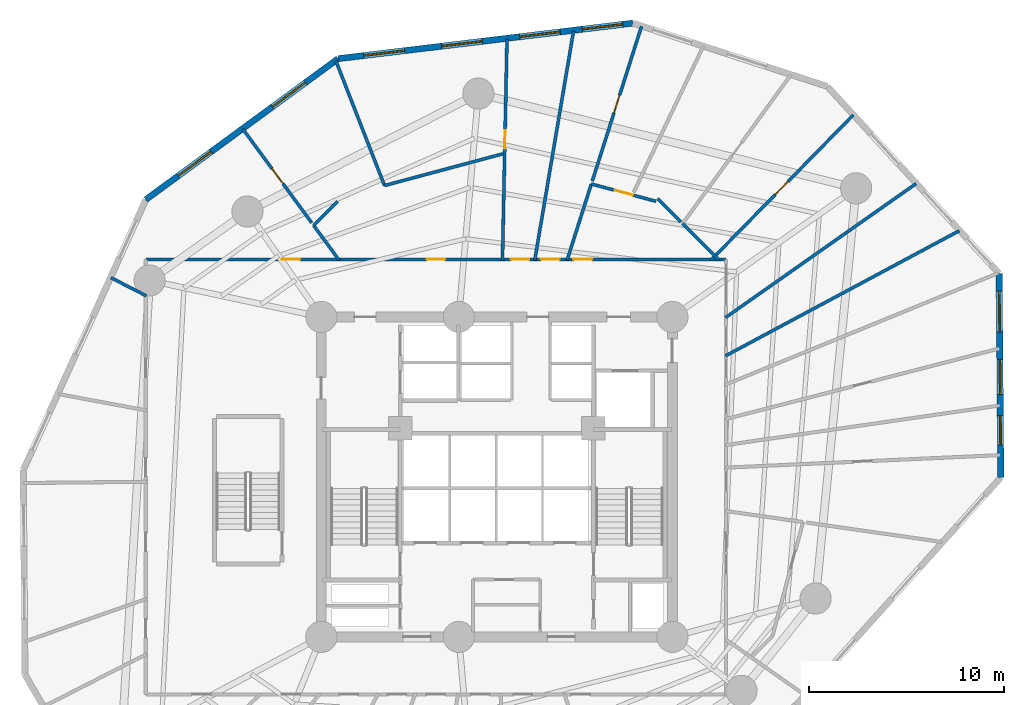
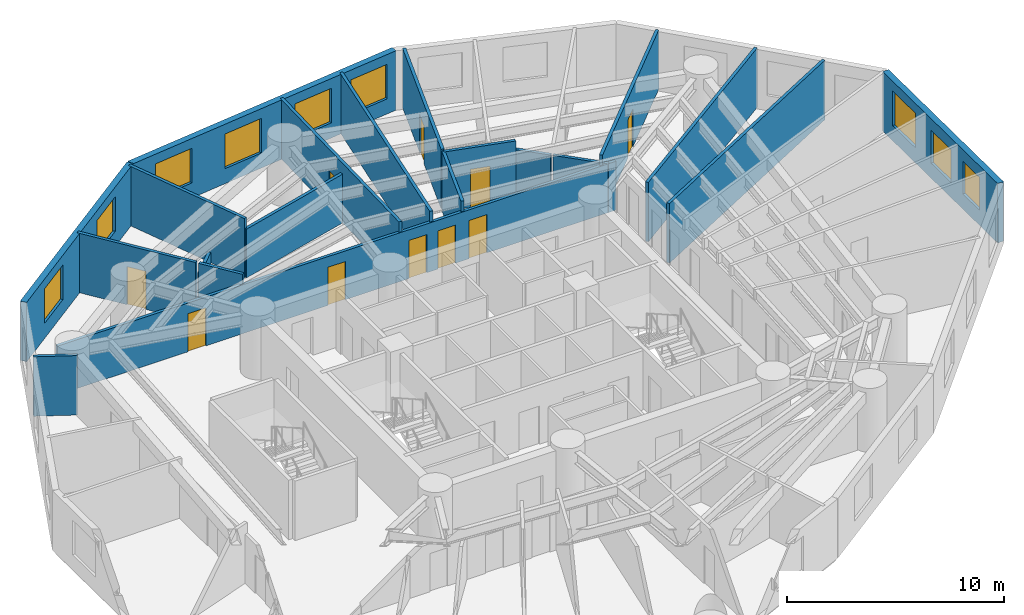
# One storey, part 6 of 9: 20 walls, 10 doors, 9 windows, 19 openings.
"""IFC4 building model written with IfcOpenShell, lengths in metres."""

import ifcopenshell
import ifcopenshell.guid

model = None  # the IFC model being written
_history = None  # IfcOwnerHistory: only IFC2X3 demands one
_inside = {}  # id of a spatial element -> (the spatial element, [elements in it])
_under = {}  # id of a project, library or spatial element -> (it, [spatial elements below it])
_declared = {}  # id of a project -> (the project, [libraries it declares])
_typed = {}  # id of a type object -> (the type object, [elements of that type])
_made_of = {}  # id of a material, layer set ... -> (it, [elements and type objects made of it])


def new_model(schema):
    """Start an empty IFC model of exactly this schema.

    Asked for "IFC4X3", IfcOpenShell would pick the latest addendum, in which some entities
    have other attributes; the version numbers below select the first issue.
    IFC2X3 requires an IfcOwnerHistory on every rooted entity: one is made here for all.
    """
    global model, _history
    if schema == "IFC4X3":
        model = ifcopenshell.file(schema_version=(4, 3, 0, 0))
    else:
        model = ifcopenshell.file(schema=schema)
    _inside.clear()
    _under.clear()
    _declared.clear()
    _typed.clear()
    _made_of.clear()
    _history = None
    if model.schema == "IFC2X3":
        org = make("IfcOrganization", Name="unknown")
        user = make(
            "IfcPersonAndOrganization",
            ThePerson=make("IfcPerson", FamilyName="unknown"),
            TheOrganization=org,
        )
        app = make(
            "IfcApplication",
            ApplicationDeveloper=org,
            Version="unknown",
            ApplicationFullName="unknown",
            ApplicationIdentifier="unknown",
        )
        _history = make(
            "IfcOwnerHistory",
            OwningUser=user,
            OwningApplication=app,
            ChangeAction="ADDED",
            CreationDate=0,
        )
    return model


def make(cls, **values):
    """One entity of the class cls with the attributes given. An attribute that is None is left unset."""
    return model.create_entity(
        cls, **{name: value for name, value in values.items() if value is not None}
    )


def rooted(cls, **values):
    """An entity with a GlobalId (a new one), such as an element, a storey or a relation."""
    return make(cls, GlobalId=ifcopenshell.guid.new(), OwnerHistory=_history, **values)


def si_unit(unit_type, name, prefix=None):
    """IfcSIUnit, for example si_unit("LENGTHUNIT", "METRE", prefix="MILLI")."""
    return make("IfcSIUnit", UnitType=unit_type, Prefix=prefix, Name=name)


def assignment(units):
    """IfcUnitAssignment: the units of a project."""
    return None if units is None else make("IfcUnitAssignment", Units=units)


def point(xyz):
    """IfcCartesianPoint."""
    return None if xyz is None else make("IfcCartesianPoint", Coordinates=xyz)


def direction(xyz):
    """IfcDirection."""
    return None if xyz is None else make("IfcDirection", DirectionRatios=xyz)


def frame(location, z_axis=None, x_axis=None):
    """IfcAxis2Placement3D, a coordinate frame: its origin and axes. An axis left out is left unset."""
    return make(
        "IfcAxis2Placement3D",
        Location=point(location),
        Axis=direction(z_axis),
        RefDirection=direction(x_axis),
    )


def frame_2d(location, x_axis=None):
    """IfcAxis2Placement2D, a coordinate frame in the plane: its origin and x axis."""
    return make(
        "IfcAxis2Placement2D", Location=point(location), RefDirection=direction(x_axis)
    )


def origin():
    """The frame at (0, 0, 0) with its axes left unset."""
    return frame((0.0, 0.0, 0.0))


def origin_with_axes():
    """The frame at (0, 0, 0) with the z axis (0, 0, 1) and the x axis (1, 0, 0) written out."""
    return frame((0.0, 0.0, 0.0), z_axis=(0.0, 0.0, 1.0), x_axis=(1.0, 0.0, 0.0))


def place(relative_to, where):
    """IfcLocalPlacement: puts the frame where relative to a parent placement (None: the world)."""
    return make(
        "IfcLocalPlacement", PlacementRelTo=relative_to, RelativePlacement=where
    )


def context(
    kind, dimensions, precision=None, world=None, true_north=None, identifier=None
):
    """IfcGeometricRepresentationContext, for example the 3D "Model" context."""
    return make(
        "IfcGeometricRepresentationContext",
        ContextIdentifier=identifier,
        ContextType=kind,
        CoordinateSpaceDimension=dimensions,
        Precision=precision,
        WorldCoordinateSystem=world,
        TrueNorth=true_north,
    )


def subcontext(parent, identifier, kind, view, scale=None):
    """IfcGeometricRepresentationSubContext, for example "Body" below "Model"."""
    return make(
        "IfcGeometricRepresentationSubContext",
        ContextIdentifier=identifier,
        ContextType=kind,
        ParentContext=parent,
        TargetScale=scale,
        TargetView=view,
    )


def project(units=None, contexts=None):
    """IfcProject with its units and contexts."""
    return rooted(
        "IfcProject",
        Name="project",
        RepresentationContexts=contexts,
        UnitsInContext=assignment(units),
    )


def spatial(cls, under=None, at=None, **own):
    """A site, building, storey or space (cls), placed at a placement, below another one or the project."""
    s = rooted(cls, ObjectPlacement=at, **own)
    if under is not None:
        _under.setdefault(under.id(), (under, []))[1].append(s)
    return s


def profile(cls, at=None, kind="AREA", **sizes):
    """A parametric profile (cls). Its sizes go by their IFC names, for example OverallWidth=200.0."""
    return make(cls, ProfileType=kind, Position=at, **sizes)


def rectangle(**sizes):
    """IfcRectangleProfileDef."""
    return profile("IfcRectangleProfileDef", **sizes)


def extrude(swept, where, along, depth):
    """IfcExtrudedAreaSolid: the profile swept, set in the frame where, extruded along a direction by depth."""
    return make(
        "IfcExtrudedAreaSolid",
        SweptArea=swept,
        Position=where,
        ExtrudedDirection=direction(along),
        Depth=depth,
    )


def shape(context_of_items, identifier, shape_type, items):
    """IfcShapeRepresentation: the items that make up one representation, for example the "Body"."""
    return make(
        "IfcShapeRepresentation",
        ContextOfItems=context_of_items,
        RepresentationIdentifier=identifier,
        RepresentationType=shape_type,
        Items=items,
    )


def source(mapping_origin, context_of_items, identifier, shape_type, items):
    """IfcRepresentationMap: a shape defined once, which mapped items show again and again."""
    return make(
        "IfcRepresentationMap",
        MappingOrigin=mapping_origin,
        MappedRepresentation=shape(context_of_items, identifier, shape_type, items),
    )


def transform(
    local_origin,
    x_axis=None,
    y_axis=None,
    z_axis=None,
    scale=None,
    scale2=None,
    scale3=None,
    uniform=True,
):
    """IfcCartesianTransformationOperator3D, or its non-uniform kind. x_axis, y_axis, z_axis: its Axis1, 2, 3."""
    if uniform:
        return make(
            "IfcCartesianTransformationOperator3D",
            Axis1=direction(x_axis),
            Axis2=direction(y_axis),
            LocalOrigin=point(local_origin),
            Scale=scale,
            Axis3=direction(z_axis),
        )
    return make(
        "IfcCartesianTransformationOperator3DnonUniform",
        Axis1=direction(x_axis),
        Axis2=direction(y_axis),
        LocalOrigin=point(local_origin),
        Scale=scale,
        Axis3=direction(z_axis),
        Scale2=scale2,
        Scale3=scale3,
    )


def mapped(mapping_source, mapping_target):
    """IfcMappedItem: shows the shape of a source again, moved by a transform."""
    return make(
        "IfcMappedItem", MappingSource=mapping_source, MappingTarget=mapping_target
    )


def material(Name=None, Category=None):
    """IfcMaterial."""
    return make("IfcMaterial", Name=Name, Category=Category)


def layer(
    of_material, thickness, ventilated=None, Name=None, Category=None, Priority=None
):
    """IfcMaterialLayer: one layer of a wall or slab, of a material (None: an air gap)."""
    return make(
        "IfcMaterialLayer",
        Material=of_material,
        LayerThickness=thickness,
        IsVentilated=ventilated,
        Name=Name,
        Category=Category,
        Priority=Priority,
    )


def layer_set(layers, Name=None):
    """IfcMaterialLayerSet."""
    return make("IfcMaterialLayerSet", MaterialLayers=layers, LayerSetName=Name)


def made_of(thing, what):
    """Note that an element or type object is made of a material, layer set ...; save() writes the relation."""
    if what is not None:
        _made_of.setdefault(what.id(), (what, []))[1].append(thing)
    return thing


def type_object(cls, material=None, **own):
    """A type object (cls), such as IfcWallType, which elements share."""
    return made_of(rooted(cls, **own), material)


def element(
    cls,
    number,
    at=None,
    inside=None,
    cuts=None,
    type_object=None,
    material=None,
    context=None,
    identifier="Body",
    shape_type=None,
    held_by="IfcProductDefinitionShape",
    body=None,
    shapes=None,
    **own,
):
    """One element of the class cls, such as IfcWall. Its Tag is "e" and its number.

    at: its placement. inside: the storey or other place that contains it. cuts: it is an
    opening in that element (IfcRelVoidsElement). A single representation is given by context,
    identifier, shape_type and body (its items); several are given by shapes. held_by: the class
    of the entity that holds the representations. save() writes the other relations.
    """
    e = rooted(cls, Tag="e%d" % number, ObjectPlacement=at, **own)
    if body is not None:
        shapes = [shape(context, identifier, shape_type, body)]
    if shapes is not None:
        e.Representation = make(held_by, Representations=shapes)
    if inside is not None:
        _inside.setdefault(inside.id(), (inside, []))[1].append(e)
    if cuts is not None:
        rooted(
            "IfcRelVoidsElement", RelatingBuildingElement=cuts, RelatedOpeningElement=e
        )
    if type_object is not None:
        _typed.setdefault(type_object.id(), (type_object, []))[1].append(e)
    return made_of(e, material)


def fill(opening, filler):
    """IfcRelFillsElement: the door or window that sits in an opening."""
    return rooted(
        "IfcRelFillsElement",
        RelatingOpeningElement=opening,
        RelatedBuildingElement=filler,
    )


def aggregate(whole, parts):
    """IfcRelAggregates: a whole, such as a stair, and the parts it consists of."""
    return rooted("IfcRelAggregates", RelatingObject=whole, RelatedObjects=parts)


def save(model, path):
    """Write the relations noted so far, then the file.

    IfcRelAggregates (storeys below a building ...), IfcRelContainedInSpatialStructure (elements
    in a storey), IfcRelDefinesByType, IfcRelAssociatesMaterial and IfcRelDeclares: one each for
    every whole, place, type object, material and project.
    """
    for whole, parts in _under.values():
        aggregate(whole, parts)
    for where, things in _inside.values():
        rooted(
            "IfcRelContainedInSpatialStructure",
            RelatedElements=things,
            RelatingStructure=where,
        )
    for kind, things in _typed.values():
        rooted("IfcRelDefinesByType", RelatedObjects=things, RelatingType=kind)
    for what, things in _made_of.values():
        rooted("IfcRelAssociatesMaterial", RelatedObjects=things, RelatingMaterial=what)
    for by, libraries in _declared.values():
        rooted("IfcRelDeclares", RelatingContext=by, RelatedDefinitions=libraries)
    model.write(path)


model = new_model("IFC4")

# Units and contexts
model_context = context("Model", 3, precision=1e-05, world=origin(), true_north=direction((0.0, 1.0)))
body_context = subcontext(model_context, "Body", "Model", "MODEL_VIEW")
ifc_project = project(units=[si_unit("LENGTHUNIT", "METRE"), si_unit("AREAUNIT", "SQUARE_METRE"), si_unit("VOLUMEUNIT", "CUBIC_METRE"), si_unit("PLANEANGLEUNIT", "RADIAN"), si_unit("MASSUNIT", "GRAM", prefix="KILO")], contexts=[model_context])

# Site, building, storey
site_placement = place(None, origin())
site = spatial("IfcSite", under=ifc_project, at=site_placement, CompositionType="ELEMENT")
building_placement = place(site_placement, origin())
building = spatial("IfcBuilding", under=site, at=building_placement, Name="Karkom Vertical University and Central Library", CompositionType="ELEMENT")
storey_placement = place(building_placement, frame((0.0, 0.0, 48.10009765625)))
storey = spatial("IfcBuildingStorey", under=building, at=storey_placement, Name="L12", CompositionType="ELEMENT", Elevation=48.10009765625)

# Wall, openings, windows
ifc_material_1 = material(Name="Brick-faced precast concrete C45/55", Category="masonry")
ifc_layer_1 = layer(ifc_material_1, 0.320068359375)
ifc_layer_set_1 = layer_set([ifc_layer_1], Name="Brick-faced precast concrete C45/55")
wall_type_1 = type_object("IfcWallType", Name="ENV-WL-BRK-320", PredefinedType="SOLIDWALL", material=ifc_layer_set_1)
wall_1_placement = place(storey_placement, frame((54.340087890625, 26.47119140625, 0.0), z_axis=(0.0, 0.0, 1.0), x_axis=(-0.008424635088, 0.999964512132, 0.0)))
wall_1 = element("IfcWall", 1, at=wall_1_placement, inside=storey, type_object=wall_type_1, Name="Level 12 Brick-Faced Precast Facade Wall 08", PredefinedType="SOLIDWALL", context=body_context, shape_type="SweptSolid", body=[
    extrude(rectangle(XDim=10.461669921875, YDim=0.320068359375, at=frame_2d((5.23095703125, 0.0))), origin(), (0.0, 0.0, 1.0), 3.349853515625),
])
opening_1_placement = place(wall_1_placement, frame((1.6669921875, 0.0, 0.85009765625)))
opening_1 = element("IfcOpeningElement", 2, at=opening_1_placement, cuts=wall_1, Name="Opening WN-05", PredefinedType="OPENING", context=body_context, shape_type="SweptSolid", body=[
    extrude(rectangle(XDim=1.5, YDim=1.85009765625, at=frame_2d((0.75, 0.925048828125))), frame((0.0, 0.169921875, 0.0), z_axis=(0.0, -1.0, 0.0), x_axis=(1.0, 0.0, 0.0)), (0.0, 0.0, 1.0), 0.340087890625),
])
opening_2_placement = place(wall_1_placement, frame((4.2451171875, 0.0, 0.85009765625)))
opening_2 = element("IfcOpeningElement", 3, at=opening_2_placement, cuts=wall_1, Name="Opening WN-04", PredefinedType="OPENING", context=body_context, shape_type="SweptSolid", body=[
    extrude(rectangle(XDim=1.800048828125, YDim=1.85009765625, at=frame_2d((0.89990234375, 0.925048828125))), frame((0.0, 0.169921875, 0.0), z_axis=(0.0, -1.0, 0.0), x_axis=(1.0, 0.0, 0.0)), (0.0, 0.0, 1.0), 0.340087890625),
])
opening_3_placement = place(wall_1_placement, frame((7.452392578125, 0.0, 0.85009765625)))
opening_3 = element("IfcOpeningElement", 4, at=opening_3_placement, cuts=wall_1, Name="Opening WN-03", PredefinedType="OPENING", context=body_context, shape_type="SweptSolid", body=[
    extrude(rectangle(XDim=2.10009765625, YDim=1.949951171875, at=frame_2d((1.050048828125, 0.97509765625))), frame((0.0, 0.169921875, 0.0), z_axis=(0.0, -1.0, 0.0), x_axis=(1.0, 0.0, 0.0)), (0.0, 0.0, 1.0), 0.340087890625),
])
ifc_material_2 = material(Name="Aluminium thermal-break frame with solar-control IGU", Category="aluminium")
window_type_1 = type_object("IfcWindowType", Name="ENV-WIN-WN-03", PartitioningType="SINGLE_PANEL", PredefinedType="WINDOW", material=ifc_material_2)
shared_shape_1 = source(origin_with_axes(), body_context, "Body", "SweptSolid", [
    extrude(rectangle(XDim=2.10009765625, YDim=1.949951171875, at=frame_2d((1.050048828125, 0.97509765625))), frame((0.0, 0.030029296875, 0.0), z_axis=(0.0, -1.0, 0.0), x_axis=(1.0, 0.0, 0.0)), (0.0, 0.0, 1.0), 0.06005859375),
])
window_1_placement = place(opening_3_placement, origin())
window_1 = element("IfcWindow", 5, at=window_1_placement, inside=storey, type_object=window_type_1, Name="Level 12 Punched Window 8.3", OverallHeight=1.949951171875, OverallWidth=2.10009765625, PartitioningType="SINGLE_PANEL", PredefinedType="WINDOW", context=body_context, shape_type="MappedRepresentation", body=[
    mapped(shared_shape_1, transform((0.0, 0.0, 0.0), scale=1.0)),
])
fill(opening_3, window_1)
window_type_2 = type_object("IfcWindowType", Name="ENV-WIN-WN-05", PartitioningType="SINGLE_PANEL", PredefinedType="WINDOW", material=ifc_material_2)
shared_shape_2 = source(origin_with_axes(), body_context, "Body", "SweptSolid", [
    extrude(rectangle(XDim=1.5, YDim=1.85009765625, at=frame_2d((0.75, 0.925048828125))), frame((0.0, 0.030029296875, 0.0), z_axis=(0.0, -1.0, 0.0), x_axis=(1.0, 0.0, 0.0)), (0.0, 0.0, 1.0), 0.06005859375),
])
window_2_placement = place(opening_1_placement, origin())
window_2 = element("IfcWindow", 6, at=window_2_placement, inside=storey, type_object=window_type_2, Name="Level 12 Punched Window 8.1", OverallHeight=1.85009765625, OverallWidth=1.5, PartitioningType="SINGLE_PANEL", PredefinedType="WINDOW", context=body_context, shape_type="MappedRepresentation", body=[
    mapped(shared_shape_2, transform((0.0, 0.0, 0.0), scale=1.0)),
])
fill(opening_1, window_2)
window_type_3 = type_object("IfcWindowType", Name="ENV-WIN-WN-04", PartitioningType="SINGLE_PANEL", PredefinedType="WINDOW", material=ifc_material_2)
shared_shape_3 = source(origin_with_axes(), body_context, "Body", "SweptSolid", [
    extrude(rectangle(XDim=1.800048828125, YDim=1.85009765625, at=frame_2d((0.89990234375, 0.925048828125))), frame((0.0, 0.030029296875, 0.0), z_axis=(0.0, -1.0, 0.0), x_axis=(1.0, 0.0, 0.0)), (0.0, 0.0, 1.0), 0.06005859375),
])
window_3_placement = place(opening_2_placement, origin())
window_3 = element("IfcWindow", 7, at=window_3_placement, inside=storey, type_object=window_type_3, Name="Level 12 Punched Window 8.2", OverallHeight=1.85009765625, OverallWidth=1.800048828125, PartitioningType="SINGLE_PANEL", PredefinedType="WINDOW", context=body_context, shape_type="MappedRepresentation", body=[
    mapped(shared_shape_3, transform((0.0, 0.0, 0.0), scale=1.0)),
])
fill(opening_2, window_3)

wall_2_placement = place(storey_placement, frame((35.47509765625, 49.767822265625, 0.0), z_axis=(0.0, 0.0, 1.0), x_axis=(-0.992812344763, -0.1196814442, 0.0)))
wall_2 = element("IfcWall", 8, at=wall_2_placement, inside=storey, type_object=wall_type_1, Name="Level 12 Brick-Faced Precast Facade Wall 11", PredefinedType="SOLIDWALL", context=body_context, shape_type="SweptSolid", body=[
    extrude(rectangle(XDim=15.223876953125, YDim=0.320068359375, at=frame_2d((7.61181640625, 0.0))), origin(), (0.0, 0.0, 1.0), 3.349853515625),
])
opening_4_placement = place(wall_2_placement, frame((0.5185546875, 0.0, 0.85009765625)))
opening_4 = element("IfcOpeningElement", 9, at=opening_4_placement, cuts=wall_2, Name="Opening WN-03", PredefinedType="OPENING", context=body_context, shape_type="SweptSolid", body=[
    extrude(rectangle(XDim=2.10009765625, YDim=1.949951171875, at=frame_2d((1.050048828125, 0.97509765625))), frame((0.0, 0.169921875, 0.0), z_axis=(0.0, -1.0, 0.0), x_axis=(1.0, 0.0, 0.0)), (0.0, 0.0, 1.0), 0.340087890625),
])
opening_5_placement = place(wall_2_placement, frame((3.743896484375, 0.0, 0.85009765625)))
opening_5 = element("IfcOpeningElement", 10, at=opening_5_placement, cuts=wall_2, Name="Opening WN-03", PredefinedType="OPENING", context=body_context, shape_type="SweptSolid", body=[
    extrude(rectangle(XDim=2.10009765625, YDim=1.949951171875, at=frame_2d((1.050048828125, 0.97509765625))), frame((0.0, 0.169921875, 0.0), z_axis=(0.0, -1.0, 0.0), x_axis=(1.0, 0.0, 0.0)), (0.0, 0.0, 1.0), 0.340087890625),
])
opening_6_placement = place(wall_2_placement, frame((7.783935546875, 0.0, 0.85009765625)))
opening_6 = element("IfcOpeningElement", 11, at=opening_6_placement, cuts=wall_2, Name="Opening WN-03", PredefinedType="OPENING", context=body_context, shape_type="SweptSolid", body=[
    extrude(rectangle(XDim=2.10009765625, YDim=1.949951171875, at=frame_2d((1.050048828125, 0.97509765625))), frame((0.0, 0.169921875, 0.0), z_axis=(0.0, -1.0, 0.0), x_axis=(1.0, 0.0, 0.0)), (0.0, 0.0, 1.0), 0.340087890625),
])
opening_7_placement = place(wall_2_placement, frame((11.79052734375, 0.0, 0.85009765625)))
opening_7 = element("IfcOpeningElement", 12, at=opening_7_placement, cuts=wall_2, Name="Opening WN-03", PredefinedType="OPENING", context=body_context, shape_type="SweptSolid", body=[
    extrude(rectangle(XDim=2.10009765625, YDim=1.949951171875, at=frame_2d((1.050048828125, 0.97509765625))), frame((0.0, 0.169921875, 0.0), z_axis=(0.0, -1.0, 0.0), x_axis=(1.0, 0.0, 0.0)), (0.0, 0.0, 1.0), 0.340087890625),
])
window_4_placement = place(opening_4_placement, origin())
window_4 = element("IfcWindow", 13, at=window_4_placement, inside=storey, type_object=window_type_1, Name="Level 12 Punched Window 11.1", OverallHeight=1.949951171875, OverallWidth=2.10009765625, PartitioningType="SINGLE_PANEL", PredefinedType="WINDOW", context=body_context, shape_type="MappedRepresentation", body=[
    mapped(shared_shape_1, transform((0.0, 0.0, 0.0), scale=1.0)),
])
fill(opening_4, window_4)
window_5_placement = place(opening_5_placement, origin())
window_5 = element("IfcWindow", 14, at=window_5_placement, inside=storey, type_object=window_type_1, Name="Level 12 Punched Window 11.2", OverallHeight=1.949951171875, OverallWidth=2.10009765625, PartitioningType="SINGLE_PANEL", PredefinedType="WINDOW", context=body_context, shape_type="MappedRepresentation", body=[
    mapped(shared_shape_1, transform((0.0, 0.0, 0.0), scale=1.0)),
])
fill(opening_5, window_5)
window_6_placement = place(opening_6_placement, origin())
window_6 = element("IfcWindow", 15, at=window_6_placement, inside=storey, type_object=window_type_1, Name="Level 12 Punched Window 11.3", OverallHeight=1.949951171875, OverallWidth=2.10009765625, PartitioningType="SINGLE_PANEL", PredefinedType="WINDOW", context=body_context, shape_type="MappedRepresentation", body=[
    mapped(shared_shape_1, transform((0.0, 0.0, 0.0), scale=1.0)),
])
fill(opening_6, window_6)
window_7_placement = place(opening_7_placement, origin())
window_7 = element("IfcWindow", 16, at=window_7_placement, inside=storey, type_object=window_type_1, Name="Level 12 Punched Window 11.4", OverallHeight=1.949951171875, OverallWidth=2.10009765625, PartitioningType="SINGLE_PANEL", PredefinedType="WINDOW", context=body_context, shape_type="MappedRepresentation", body=[
    mapped(shared_shape_1, transform((0.0, 0.0, 0.0), scale=1.0)),
])
fill(opening_7, window_7)

wall_3_placement = place(storey_placement, frame((20.360595703125, 47.94580078125, 0.0), z_axis=(0.0, 0.0, 1.0), x_axis=(-0.806545902905, -0.591171469633, 0.0)))
wall_3 = element("IfcWall", 17, at=wall_3_placement, inside=storey, type_object=wall_type_1, Name="Level 12 Brick-Faced Precast Facade Wall 12", PredefinedType="SOLIDWALL", context=body_context, shape_type="SweptSolid", body=[
    extrude(rectangle(XDim=12.2265625, YDim=0.320068359375, at=frame_2d((6.11328125, 0.0))), origin(), (0.0, 0.0, 1.0), 3.349853515625),
])
opening_8_placement = place(wall_3_placement, frame((2.07080078125, 0.0, 0.85009765625)))
opening_8 = element("IfcOpeningElement", 18, at=opening_8_placement, cuts=wall_3, Name="Opening WN-03", PredefinedType="OPENING", context=body_context, shape_type="SweptSolid", body=[
    extrude(rectangle(XDim=2.10009765625, YDim=1.949951171875, at=frame_2d((1.050048828125, 0.97509765625))), frame((0.0, 0.169921875, 0.0), z_axis=(0.0, -1.0, 0.0), x_axis=(1.0, 0.0, 0.0)), (0.0, 0.0, 1.0), 0.340087890625),
])
opening_9_placement = place(wall_3_placement, frame((8.069580078125, 0.0, 0.85009765625)))
opening_9 = element("IfcOpeningElement", 19, at=opening_9_placement, cuts=wall_3, Name="Opening WN-03", PredefinedType="OPENING", context=body_context, shape_type="SweptSolid", body=[
    extrude(rectangle(XDim=2.10009765625, YDim=1.949951171875, at=frame_2d((1.050048828125, 0.97509765625))), frame((0.0, 0.169921875, 0.0), z_axis=(0.0, -1.0, 0.0), x_axis=(1.0, 0.0, 0.0)), (0.0, 0.0, 1.0), 0.340087890625),
])
window_8_placement = place(opening_8_placement, origin())
window_8 = element("IfcWindow", 20, at=window_8_placement, inside=storey, type_object=window_type_1, Name="Level 12 Punched Window 12.1", OverallHeight=1.949951171875, OverallWidth=2.10009765625, PartitioningType="SINGLE_PANEL", PredefinedType="WINDOW", context=body_context, shape_type="MappedRepresentation", body=[
    mapped(shared_shape_1, transform((0.0, 0.0, 0.0), scale=1.0)),
])
fill(opening_8, window_8)
window_9_placement = place(opening_9_placement, origin())
window_9 = element("IfcWindow", 21, at=window_9_placement, inside=storey, type_object=window_type_1, Name="Level 12 Punched Window 12.2", OverallHeight=1.949951171875, OverallWidth=2.10009765625, PartitioningType="SINGLE_PANEL", PredefinedType="WINDOW", context=body_context, shape_type="MappedRepresentation", body=[
    mapped(shared_shape_1, transform((0.0, 0.0, 0.0), scale=1.0)),
])
fill(opening_9, window_9)

# Wall, openings, doors
ifc_material_3 = material(Name="Insulated metal-stud drywall 160mm", Category="gypsum")
ifc_layer_2 = layer(ifc_material_3, 0.159912109375)
ifc_layer_set_2 = layer_set([ifc_layer_2], Name="Insulated metal-stud drywall 160mm")
wall_type_2 = type_object("IfcWallType", Name="INT-WL-COR-160", PredefinedType="PARTITIONING", material=ifc_layer_set_2)
wall_4_placement = place(storey_placement, frame((10.5, 37.64990234375, 0.0), z_axis=(0.0, 0.0, 1.0), x_axis=(1.0, 0.0, 0.0)))
wall_4 = element("IfcWall", 22, at=wall_4_placement, inside=storey, type_object=wall_type_2, Name="Level 12 Interior Partition Wall L12-CORW-CW-003", PredefinedType="PARTITIONING", context=body_context, shape_type="SweptSolid", body=[
    extrude(rectangle(XDim=29.75, YDim=0.159912109375, at=frame_2d((14.875, 0.0))), origin(), (0.0, 0.0, 1.0), 2.75),
])
opening_10_placement = place(wall_4_placement, frame((21.927490234375, 0.0, 0.0)))
opening_10 = element("IfcOpeningElement", 23, at=opening_10_placement, cuts=wall_4, Name="Opening D-RM1", PredefinedType="OPENING", context=body_context, shape_type="SweptSolid", body=[
    extrude(rectangle(XDim=0.949951171875, YDim=2.14990234375, at=frame_2d((0.47509765625, 1.074951171875))), frame((0.0, 0.08984375, 0.0), z_axis=(0.0, -1.0, 0.0), x_axis=(1.0, 0.0, 0.0)), (0.0, 0.0, 1.0), 0.179931640625),
])
opening_11_placement = place(wall_4_placement, frame((20.26220703125, 0.0, 0.0)))
opening_11 = element("IfcOpeningElement", 24, at=opening_11_placement, cuts=wall_4, Name="Opening D-RM1", PredefinedType="OPENING", context=body_context, shape_type="SweptSolid", body=[
    extrude(rectangle(XDim=0.949951171875, YDim=2.14990234375, at=frame_2d((0.47509765625, 1.074951171875))), frame((0.0, 0.08984375, 0.0), z_axis=(0.0, -1.0, 0.0), x_axis=(1.0, 0.0, 0.0)), (0.0, 0.0, 1.0), 0.179931640625),
])
opening_12_placement = place(wall_4_placement, frame((18.722412109375, 0.0, 0.0)))
opening_12 = element("IfcOpeningElement", 25, at=opening_12_placement, cuts=wall_4, Name="Opening D-RM1", PredefinedType="OPENING", context=body_context, shape_type="SweptSolid", body=[
    extrude(rectangle(XDim=0.949951171875, YDim=2.14990234375, at=frame_2d((0.47509765625, 1.074951171875))), frame((0.0, 0.08984375, 0.0), z_axis=(0.0, -1.0, 0.0), x_axis=(1.0, 0.0, 0.0)), (0.0, 0.0, 1.0), 0.179931640625),
])
opening_13_placement = place(wall_4_placement, frame((14.39990234375, 0.0, 0.0)))
opening_13 = element("IfcOpeningElement", 26, at=opening_13_placement, cuts=wall_4, Name="Opening D-RM1", PredefinedType="OPENING", context=body_context, shape_type="SweptSolid", body=[
    extrude(rectangle(XDim=0.949951171875, YDim=2.14990234375, at=frame_2d((0.47509765625, 1.074951171875))), frame((0.0, 0.08984375, 0.0), z_axis=(0.0, -1.0, 0.0), x_axis=(1.0, 0.0, 0.0)), (0.0, 0.0, 1.0), 0.179931640625),
])
opening_14_placement = place(wall_4_placement, frame((6.96240234375, 0.0, 0.0)))
opening_14 = element("IfcOpeningElement", 27, at=opening_14_placement, cuts=wall_4, Name="Opening D-RM1", PredefinedType="OPENING", context=body_context, shape_type="SweptSolid", body=[
    extrude(rectangle(XDim=0.949951171875, YDim=2.14990234375, at=frame_2d((0.47509765625, 1.074951171875))), frame((0.0, 0.08984375, 0.0), z_axis=(0.0, -1.0, 0.0), x_axis=(1.0, 0.0, 0.0)), (0.0, 0.0, 1.0), 0.179931640625),
])
ifc_material_4 = material(Name="Solid-core oak veneer door", Category="wood")
door_type = type_object("IfcDoorType", Name="INT-DR-RM1", OperationType="NOTDEFINED", PredefinedType="DOOR", material=ifc_material_4)
shared_shape_4 = source(origin_with_axes(), body_context, "Body", "SweptSolid", [
    extrude(rectangle(XDim=0.949951171875, YDim=2.14990234375, at=frame_2d((0.47509765625, 1.074951171875))), frame((0.0, 0.02490234375, 0.0), z_axis=(0.0, -1.0, 0.0), x_axis=(1.0, 0.0, 0.0)), (0.0, 0.0, 1.0), 0.050048828125),
])
door_1_placement = place(opening_10_placement, origin())
door_1 = element("IfcDoor", 28, at=door_1_placement, inside=storey, type_object=door_type, Name="Level 12 Room Entry Door 220", OperationType="SINGLE_SWING_LEFT", OverallHeight=2.14990234375, OverallWidth=0.949951171875, PredefinedType="DOOR", context=body_context, shape_type="MappedRepresentation", body=[
    mapped(shared_shape_4, transform((0.0, 0.0, 0.0), scale=1.0)),
])
fill(opening_10, door_1)
door_2_placement = place(opening_11_placement, origin())
door_2 = element("IfcDoor", 29, at=door_2_placement, inside=storey, type_object=door_type, Name="Level 12 Room Entry Door 240", OperationType="SINGLE_SWING_RIGHT", OverallHeight=2.14990234375, OverallWidth=0.949951171875, PredefinedType="DOOR", context=body_context, shape_type="MappedRepresentation", body=[
    mapped(shared_shape_4, transform((0.0, 0.0, 0.0), scale=1.0)),
])
fill(opening_11, door_2)
door_3_placement = place(opening_12_placement, origin())
door_3 = element("IfcDoor", 30, at=door_3_placement, inside=storey, type_object=door_type, Name="Level 12 Room Entry Door 250", OperationType="SINGLE_SWING_LEFT", OverallHeight=2.14990234375, OverallWidth=0.949951171875, PredefinedType="DOOR", context=body_context, shape_type="MappedRepresentation", body=[
    mapped(shared_shape_4, transform((0.0, 0.0, 0.0), scale=1.0)),
])
fill(opening_12, door_3)
door_4_placement = place(opening_13_placement, origin())
door_4 = element("IfcDoor", 31, at=door_4_placement, inside=storey, type_object=door_type, Name="Level 12 Room Entry Door 270", OperationType="SINGLE_SWING_RIGHT", OverallHeight=2.14990234375, OverallWidth=0.949951171875, PredefinedType="DOOR", context=body_context, shape_type="MappedRepresentation", body=[
    mapped(shared_shape_4, transform((0.0, 0.0, 0.0), scale=1.0)),
])
fill(opening_13, door_4)
door_5_placement = place(opening_14_placement, origin())
door_5 = element("IfcDoor", 32, at=door_5_placement, inside=storey, type_object=door_type, Name="Level 12 Room Entry Door 290", OperationType="SINGLE_SWING_LEFT", OverallHeight=2.14990234375, OverallWidth=0.949951171875, PredefinedType="DOOR", context=body_context, shape_type="MappedRepresentation", body=[
    mapped(shared_shape_4, transform((0.0, 0.0, 0.0), scale=1.0)),
])
fill(opening_14, door_5)

# Walls
wall_5_placement = place(storey_placement, frame((40.2236328125, 32.70751953125, 0.0), z_axis=(0.0, 0.0, 1.0), x_axis=(0.881639877006, 0.471922798001, 0.0)))
element("IfcWall", 33, at=wall_5_placement, inside=storey, type_object=wall_type_2, Name="Level 12 Interior Partition Wall L12-PW-022", PredefinedType="PARTITIONING", context=body_context, shape_type="SweptSolid", body=[
    extrude(rectangle(XDim=13.59130859375, YDim=0.159912109375, at=frame_2d((6.795654296875, 0.0))), origin(), (0.0, 0.0, 1.0), 3.349853515625),
])
wall_6_placement = place(storey_placement, frame((40.2255859375, 34.6708984375, 0.0), z_axis=(0.0, 0.0, 1.0), x_axis=(0.818038780685, 0.5751630667, 0.0)))
element("IfcWall", 34, at=wall_6_placement, inside=storey, type_object=wall_type_2, Name="Level 12 Interior Partition Wall L12-PW-023", PredefinedType="PARTITIONING", context=body_context, shape_type="SweptSolid", body=[
    extrude(rectangle(XDim=11.937744140625, YDim=0.159912109375, at=frame_2d((5.96875, 0.0))), origin(), (0.0, 0.0, 1.0), 3.349853515625),
])
wall_7_placement = place(storey_placement, frame((30.443603515625, 37.620361328125, 0.0), z_axis=(0.0, 0.0, 1.0), x_axis=(0.166922631411, 0.98596999707, 0.0)))
element("IfcWall", 35, at=wall_7_placement, inside=storey, type_object=wall_type_2, Name="Level 12 Interior Partition Wall L12-PW-033", PredefinedType="PARTITIONING", context=body_context, shape_type="SweptSolid", body=[
    extrude(rectangle(XDim=11.920166015625, YDim=0.159912109375, at=frame_2d((5.9599609375, 0.0))), origin(), (0.0, 0.0, 1.0), 3.349853515625),
])

# Wall, opening, door
wall_8_placement = place(storey_placement, frame((28.787109375, 37.60498046875, 0.0), z_axis=(0.0, 0.0, 1.0), x_axis=(0.020435915355, 0.999791164876, 0.0)))
wall_8 = element("IfcWall", 36, at=wall_8_placement, inside=storey, type_object=wall_type_2, Name="Level 12 Interior Partition Wall L12-PW-034", PredefinedType="PARTITIONING", context=body_context, shape_type="SweptSolid", body=[
    extrude(rectangle(XDim=11.361328125, YDim=0.159912109375, at=frame_2d((5.6806640625, 0.0))), origin(), (0.0, 0.0, 1.0), 3.349853515625),
])
opening_15_placement = place(wall_8_placement, frame((5.720703125, 0.0, 0.0)))
opening_15 = element("IfcOpeningElement", 37, at=opening_15_placement, cuts=wall_8, Name="Opening D-RM1", PredefinedType="OPENING", context=body_context, shape_type="SweptSolid", body=[
    extrude(rectangle(XDim=0.949951171875, YDim=2.14990234375, at=frame_2d((0.47509765625, 1.074951171875))), frame((0.0, 0.08984375, 0.0), z_axis=(0.0, -1.0, 0.0), x_axis=(1.0, 0.0, 0.0)), (0.0, 0.0, 1.0), 0.179931640625),
])
door_6_placement = place(opening_15_placement, origin())
door_6 = element("IfcDoor", 38, at=door_6_placement, inside=storey, type_object=door_type, Name="Level 12 Room Entry Door 260", OperationType="SINGLE_SWING_RIGHT", OverallHeight=2.14990234375, OverallWidth=0.949951171875, PredefinedType="DOOR", context=body_context, shape_type="MappedRepresentation", body=[
    mapped(shared_shape_4, transform((0.0, 0.0, 0.0), scale=1.0)),
])
fill(opening_15, door_6)

wall_9_placement = place(storey_placement, frame((39.4794921875, 37.617919921875, 0.0), z_axis=(0.0, 0.0, 1.0), x_axis=(0.699941263182, 0.714200411716, 0.0)))
wall_9 = element("IfcWall", 39, at=wall_9_placement, inside=storey, type_object=wall_type_2, Name="Level 12 Interior Partition Wall L12-PW-024", PredefinedType="PARTITIONING", context=body_context, shape_type="SweptSolid", body=[
    extrude(rectangle(XDim=10.409912109375, YDim=0.159912109375, at=frame_2d((5.205078125, 0.0))), origin(), (0.0, 0.0, 1.0), 3.349853515625),
])
opening_16_placement = place(wall_9_placement, frame((4.704833984375, 0.0, 0.0)))
opening_16 = element("IfcOpeningElement", 40, at=opening_16_placement, cuts=wall_9, Name="Opening D-RM1", PredefinedType="OPENING", context=body_context, shape_type="SweptSolid", body=[
    extrude(rectangle(XDim=0.949951171875, YDim=2.14990234375, at=frame_2d((0.47509765625, 1.074951171875))), frame((0.0, 0.08984375, 0.0), z_axis=(0.0, -1.0, 0.0), x_axis=(1.0, 0.0, 0.0)), (0.0, 0.0, 1.0), 0.179931640625),
])
door_7_placement = place(opening_16_placement, origin())
door_7 = element("IfcDoor", 41, at=door_7_placement, inside=storey, type_object=door_type, Name="Level 12 Room Entry Door 200", OperationType="SINGLE_SWING_LEFT", OverallHeight=2.14990234375, OverallWidth=0.949951171875, PredefinedType="DOOR", context=body_context, shape_type="MappedRepresentation", body=[
    mapped(shared_shape_4, transform((0.0, 0.0, 0.0), scale=1.0)),
])
fill(opening_16, door_7)

wall_10_placement = place(storey_placement, frame((33.392822265625, 41.671875, 0.0), z_axis=(0.0, 0.0, 1.0), x_axis=(0.30332600817, 0.952886841534, 0.0)))
wall_10 = element("IfcWall", 42, at=wall_10_placement, inside=storey, type_object=wall_type_2, Name="Level 12 Interior Partition Wall L12-PW-032", PredefinedType="PARTITIONING", context=body_context, shape_type="SweptSolid", body=[
    extrude(rectangle(XDim=8.318359375, YDim=0.159912109375, at=frame_2d((4.1591796875, 0.0))), origin(), (0.0, 0.0, 1.0), 3.349853515625),
])
opening_17_placement = place(wall_10_placement, frame((3.666748046875, 0.0, 0.0)))
opening_17 = element("IfcOpeningElement", 43, at=opening_17_placement, cuts=wall_10, Name="Opening D-RM1", PredefinedType="OPENING", context=body_context, shape_type="SweptSolid", body=[
    extrude(rectangle(XDim=0.949951171875, YDim=2.14990234375, at=frame_2d((0.47509765625, 1.074951171875))), frame((0.0, 0.08984375, 0.0), z_axis=(0.0, -1.0, 0.0), x_axis=(1.0, 0.0, 0.0)), (0.0, 0.0, 1.0), 0.179931640625),
])
door_8_placement = place(opening_17_placement, origin())
door_8 = element("IfcDoor", 44, at=door_8_placement, inside=storey, type_object=door_type, Name="Level 12 Room Entry Door 230", OperationType="SINGLE_SWING_LEFT", OverallHeight=2.14990234375, OverallWidth=0.949951171875, PredefinedType="DOOR", context=body_context, shape_type="MappedRepresentation", body=[
    mapped(shared_shape_4, transform((0.0, 0.0, 0.0), scale=1.0)),
])
fill(opening_17, door_8)

# Walls
wall_11_placement = place(storey_placement, frame((22.739013671875, 41.439208984375, 0.0), z_axis=(0.0, 0.0, 1.0), x_axis=(-0.363268958138, 0.931684315663, 0.0)))
element("IfcWall", 45, at=wall_11_placement, inside=storey, type_object=wall_type_2, Name="Level 12 Interior Partition Wall L12-PW-036", PredefinedType="PARTITIONING", context=body_context, shape_type="SweptSolid", body=[
    extrude(rectangle(XDim=6.8583984375, YDim=0.159912109375, at=frame_2d((3.42919921875, 0.0))), origin(), (0.0, 0.0, 1.0), 3.349853515625),
])
wall_12_placement = place(storey_placement, frame((28.811767578125, 43.06640625, 0.0), z_axis=(0.0, 0.0, 1.0), x_axis=(-0.96592551769, -0.258820196808, 0.0)))
element("IfcWall", 46, at=wall_12_placement, inside=storey, type_object=wall_type_2, Name="Level 12 Interior Partition Wall L12-PW-035", PredefinedType="PARTITIONING", context=body_context, shape_type="SweptSolid", body=[
    extrude(rectangle(XDim=6.286865234375, YDim=0.159912109375, at=frame_2d((3.1435546875, 0.0))), origin(), (0.0, 0.0, 1.0), 2.75),
])

# Wall, opening, door
wall_13_placement = place(storey_placement, frame((19.009765625, 39.525634765625, 0.0), z_axis=(0.0, 0.0, 1.0), x_axis=(-0.59186548251, 0.806036755126, 0.0)))
wall_13 = element("IfcWall", 47, at=wall_13_placement, inside=storey, type_object=wall_type_2, Name="Level 12 Interior Partition Wall L12-PW-039", PredefinedType="PARTITIONING", context=body_context, shape_type="SweptSolid", body=[
    extrude(rectangle(XDim=5.967529296875, YDim=0.159912109375, at=frame_2d((2.98388671875, 0.0))), origin(), (0.0, 0.0, 1.0), 3.349853515625),
])
opening_18_placement = place(wall_13_placement, frame((2.4912109375, 0.0, 0.0)))
opening_18 = element("IfcOpeningElement", 48, at=opening_18_placement, cuts=wall_13, Name="Opening D-RM1", PredefinedType="OPENING", context=body_context, shape_type="SweptSolid", body=[
    extrude(rectangle(XDim=0.949951171875, YDim=2.14990234375, at=frame_2d((0.47509765625, 1.074951171875))), frame((0.0, 0.08984375, 0.0), z_axis=(0.0, -1.0, 0.0), x_axis=(1.0, 0.0, 0.0)), (0.0, 0.0, 1.0), 0.179931640625),
])
door_9_placement = place(opening_18_placement, origin())
door_9 = element("IfcDoor", 49, at=door_9_placement, inside=storey, type_object=door_type, Name="Level 12 Room Entry Door 280", OperationType="SINGLE_SWING_LEFT", OverallHeight=2.14990234375, OverallWidth=0.949951171875, PredefinedType="DOOR", context=body_context, shape_type="MappedRepresentation", body=[
    mapped(shared_shape_4, transform((0.0, 0.0, 0.0), scale=1.0)),
])
fill(opening_18, door_9)

# Wall
wall_14_placement = place(storey_placement, frame((32.0986328125, 37.607177734375, 0.0), z_axis=(0.0, 0.0, 1.0), x_axis=(0.303390190683, 0.952866408369, 0.0)))
element("IfcWall", 50, at=wall_14_placement, inside=storey, type_object=wall_type_2, Name="Level 12 Interior Partition Wall L12-PW-031", PredefinedType="PARTITIONING", context=body_context, shape_type="SweptSolid", body=[
    extrude(rectangle(XDim=4.105712890625, YDim=0.159912109375, at=frame_2d((2.052734375, 0.0))), origin(), (0.0, 0.0, 1.0), 3.349853515625),
])

# Wall, opening, door
wall_15_placement = place(storey_placement, frame((33.34423828125, 41.519287109375, 0.0), z_axis=(0.0, 0.0, 1.0), x_axis=(0.965920102757, -0.258840404672, 0.0)))
wall_15 = element("IfcWall", 51, at=wall_15_placement, inside=storey, type_object=wall_type_2, Name="Level 12 Interior Partition Wall L12-PW-030", PredefinedType="PARTITIONING", context=body_context, shape_type="SweptSolid", body=[
    extrude(rectangle(XDim=3.431396484375, YDim=0.159912109375, at=frame_2d((1.7158203125, 0.0))), origin(), (0.0, 0.0, 1.0), 3.349853515625),
])
opening_19_placement = place(wall_15_placement, frame((1.258544921875, 0.0, 0.0)))
opening_19 = element("IfcOpeningElement", 52, at=opening_19_placement, cuts=wall_15, Name="Opening D-RM1", PredefinedType="OPENING", context=body_context, shape_type="SweptSolid", body=[
    extrude(rectangle(XDim=0.949951171875, YDim=2.14990234375, at=frame_2d((0.47509765625, 1.074951171875))), frame((0.0, 0.08984375, 0.0), z_axis=(0.0, -1.0, 0.0), x_axis=(1.0, 0.0, 0.0)), (0.0, 0.0, 1.0), 0.179931640625),
])
door_10_placement = place(opening_19_placement, origin())
door_10 = element("IfcDoor", 53, at=door_10_placement, inside=storey, type_object=door_type, Name="Level 12 Room Entry Door 210", OperationType="SINGLE_SWING_RIGHT", OverallHeight=2.14990234375, OverallWidth=0.949951171875, PredefinedType="DOOR", context=body_context, shape_type="MappedRepresentation", body=[
    mapped(shared_shape_4, transform((0.0, 0.0, 0.0), scale=1.0)),
])
fill(opening_19, door_10)

# Walls
wall_16_placement = place(storey_placement, frame((39.897705078125, 37.6181640625, 0.0), z_axis=(0.0, 0.0, 1.0), x_axis=(-0.707106781187, 0.707106781187, 0.0)))
element("IfcWall", 54, at=wall_16_placement, inside=storey, type_object=wall_type_2, Name="Level 12 Interior Partition Wall L12-PW-026", PredefinedType="PARTITIONING", context=body_context, shape_type="SweptSolid", body=[
    extrude(rectangle(XDim=2.6474609375, YDim=0.159912109375, at=frame_2d((1.32373046875, 0.0))), origin(), (0.0, 0.0, 1.0), 2.75),
])
wall_17_placement = place(storey_placement, frame((20.413818359375, 37.61376953125, 0.0), z_axis=(0.0, 0.0, 1.0), x_axis=(-0.591928563028, 0.805990431874, 0.0)))
element("IfcWall", 55, at=wall_17_placement, inside=storey, type_object=wall_type_2, Name="Level 12 Interior Partition Wall L12-PW-038", PredefinedType="PARTITIONING", context=body_context, shape_type="SweptSolid", body=[
    extrude(rectangle(XDim=2.210205078125, YDim=0.159912109375, at=frame_2d((1.10498046875, 0.0))), origin(), (0.0, 0.0, 1.0), 3.349853515625),
])
wall_18_placement = place(storey_placement, frame((10.526611328125, 35.784912109375, 0.0), z_axis=(0.0, 0.0, 1.0), x_axis=(-0.889807491926, 0.456336090303, 0.0)))
element("IfcWall", 56, at=wall_18_placement, inside=storey, type_object=wall_type_2, Name="Level 12 Interior Partition Wall L12-PW-040", PredefinedType="PARTITIONING", context=body_context, shape_type="SweptSolid", body=[
    extrude(rectangle(XDim=2.039306640625, YDim=0.159912109375, at=frame_2d((1.01953125, 0.0))), origin(), (0.0, 0.0, 1.0), 3.349853515625),
])
wall_19_placement = place(storey_placement, frame((19.10546875, 39.395263671875, 0.0), z_axis=(0.0, 0.0, 1.0), x_axis=(0.707106781187, 0.707106781187, 0.0)))
element("IfcWall", 57, at=wall_19_placement, inside=storey, type_object=wall_type_2, Name="Level 12 Interior Partition Wall L12-PW-037", PredefinedType="PARTITIONING", context=body_context, shape_type="SweptSolid", body=[
    extrude(rectangle(XDim=1.747802734375, YDim=0.159912109375, at=frame_2d((0.8740234375, 0.0))), origin(), (0.0, 0.0, 1.0), 2.75),
])
wall_20_placement = place(storey_placement, frame((37.939697265625, 39.576171875, 0.0), z_axis=(0.0, 0.0, 1.0), x_axis=(-0.707034748713, 0.707178806323, 0.0)))
element("IfcWall", 58, at=wall_20_placement, inside=storey, type_object=wall_type_2, Name="Level 12 Interior Partition Wall L12-PW-028", PredefinedType="PARTITIONING", context=body_context, shape_type="SweptSolid", body=[
    extrude(rectangle(XDim=1.69482421875, YDim=0.159912109375, at=frame_2d((0.847412109375, 0.0))), origin(), (0.0, 0.0, 1.0), 2.75),
])

save(model, "model.ifc")
